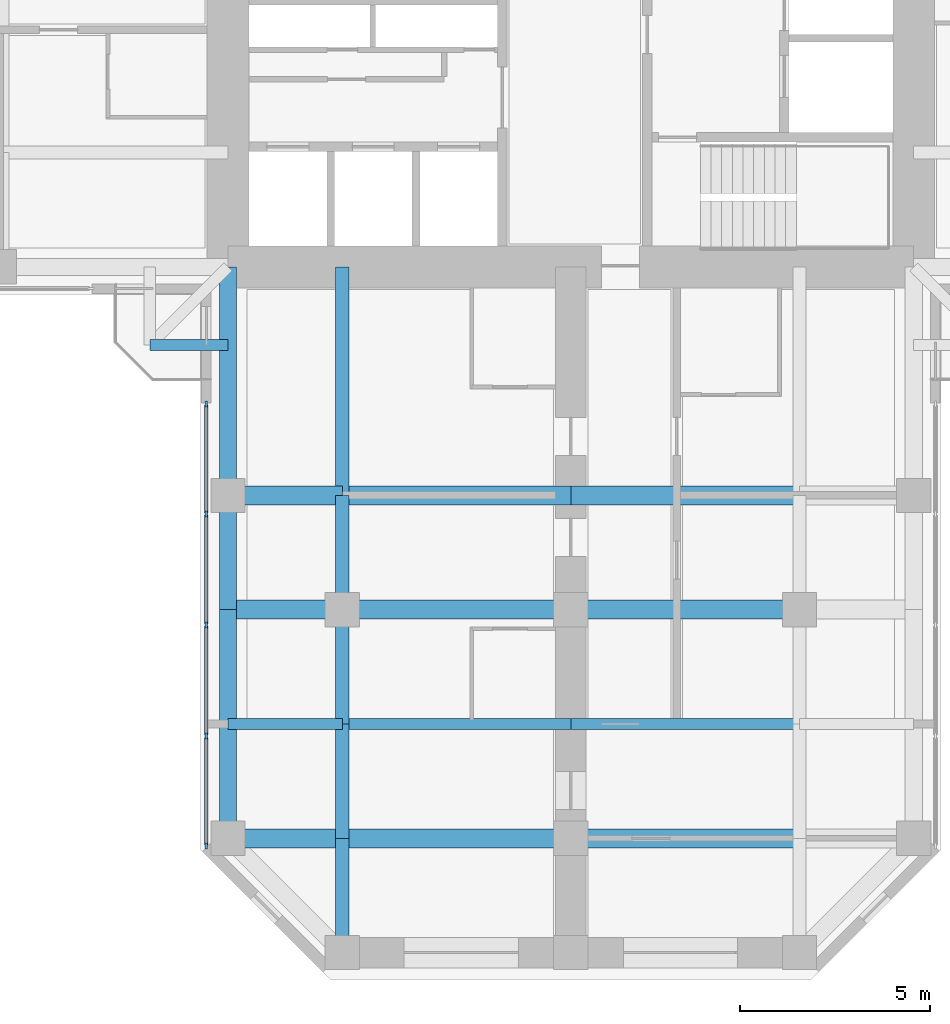
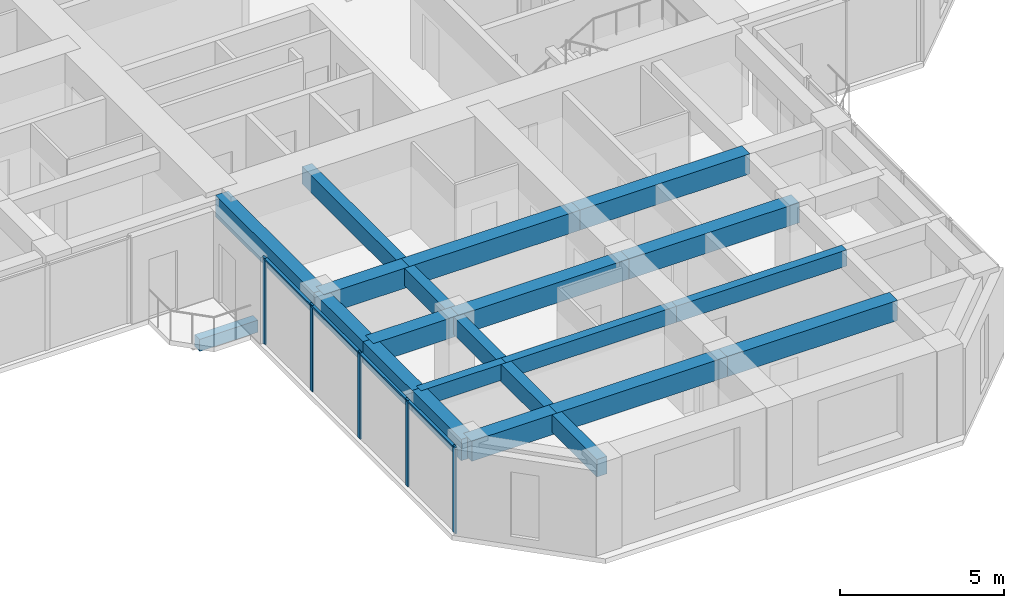
# One storey, part 2 of 13: 22 beams, 9 members, 1 element without a shape of its own.
"""IFC4 building model written with IfcOpenShell, lengths in metres."""

from ifc_helpers import new_model, si_unit, direction, frame, origin, origin_2d, place, context, subcontext, project, spatial, rectangle, extrude, material, material_profile, profile_set, type_object, element, aggregate, save


model = new_model("IFC4")

# Units and contexts
model_context = context("Model", 3, precision=1e-05, world=origin(), true_north=direction((0.0, 1.0)))
body_context = subcontext(model_context, "Body", "Model", "MODEL_VIEW")
ifc_project = project(units=[si_unit("LENGTHUNIT", "METRE"), si_unit("AREAUNIT", "SQUARE_METRE"), si_unit("VOLUMEUNIT", "CUBIC_METRE"), si_unit("PLANEANGLEUNIT", "RADIAN"), si_unit("MASSUNIT", "GRAM", prefix="KILO")], contexts=[model_context])

# Site, building, storey
site_placement = place(None, origin())
site = spatial("IfcSite", under=ifc_project, at=site_placement, CompositionType="ELEMENT")
building_placement = place(site_placement, origin())
building = spatial("IfcBuilding", under=site, at=building_placement, Name="Torre Cruceta", CompositionType="ELEMENT")
storey_placement = place(building_placement, frame((0.0, 0.0, 189.89990234375)))
storey = spatial("IfcBuildingStorey", under=building, at=storey_placement, Name="L47", CompositionType="ELEMENT", Elevation=189.89990234375)

# Beams
ifc_material_1 = material(Name="Concrete G60 (fck 60 MPa)", Category="concrete")
ifc_material_profile_1 = material_profile(ifc_material_1, rectangle(XDim=0.300048828125, YDim=0.449951171875, at=origin_2d()), Name="RC 300X450")
ifc_profile_set_1 = profile_set([ifc_material_profile_1], Name="Concrete G60 (fck 60 MPa)")
beam_type_1 = type_object("IfcBeamType", Name="BALCONY CANTILEVER BEAM RC 300X450", PredefinedType="BEAM", material=ifc_profile_set_1)
beam_1_placement = place(storey_placement, frame((-9.0, -11.050537109375, -0.40478515625), z_axis=(-1.0, 0.0, 0.0), x_axis=(0.0, -1.0, 0.0)))
element("IfcBeam", 1, at=beam_1_placement, inside=storey, type_object=beam_type_1, Name="BB1 balcony edge beam L47 W-Y", PredefinedType="BEAM", context=body_context, shape_type="SweptSolid", body=[
    extrude(rectangle(XDim=0.300048828125, YDim=0.449951171875, at=origin_2d()), origin(), (0.0, 0.0, 1.0), 2.050537109375),
])
ifc_material_2 = material(Name="Concrete G60 (fck 60 MPa)", Category="concrete")
ifc_material_profile_2 = material_profile(ifc_material_2, rectangle(XDim=0.35009765625, YDim=0.64990234375, at=origin_2d()), Name="RC 350X650")
ifc_profile_set_2 = profile_set([ifc_material_profile_2], Name="Concrete G60 (fck 60 MPa)")
beam_type_2 = type_object("IfcBeamType", Name="COLUMN LINE BEAM RC 350X650", PredefinedType="BEAM", material=ifc_profile_set_2)
beam_2_placement = place(storey_placement, frame((-6.0, -9.0, 2.89501953125), z_axis=(0.0, -1.0, 0.0), x_axis=(1.0, 0.0, 0.0)))
element("IfcBeam", 2, at=beam_2_placement, inside=storey, type_object=beam_type_2, Name="LB7 L47 S col- 1", PredefinedType="BEAM", context=body_context, shape_type="SweptSolid", body=[
    extrude(rectangle(XDim=0.35009765625, YDim=0.64990234375, at=origin_2d()), origin(), (0.0, 0.0, 1.0), 6.0),
])
for number, where, z_axis, x_axis, name in (
    (3, (-6.0, -15.0, 2.89501953125), (0.0, -1.0, 0.0), (1.0, 0.0, 0.0), "LB7 L47 S col- 2"),
    (4, (-6.0, -18.0, 2.89501953125), (0.0, -1.0, 0.0), (1.0, 0.0, 0.0), "LB7 L47 S col- 3"),
    (5, (-6.0, -21.0, 2.89501953125), (0.0, -1.0, 0.0), (1.0, 0.0, 0.0), "LB7 L47 S col- 4"),
    (6, (-6.0, -24.0, 2.89501953125), (0.0, -1.0, 0.0), (1.0, 0.0, 0.0), "LB7 L47 S col- 5"),
):
    element("IfcBeam", number, at=place(storey_placement, frame(where, z_axis=z_axis, x_axis=x_axis)), inside=storey, type_object=beam_type_2, Name=name, PredefinedType="BEAM", context=body_context, shape_type="SweptSolid", body=[
        extrude(rectangle(XDim=0.35009765625, YDim=0.64990234375, at=origin_2d()), origin(), (0.0, 0.0, 1.0), 3.0),
    ])
ifc_material_3 = material(Name="Concrete G60 (fck 60 MPa)", Category="concrete")
ifc_material_profile_3 = material_profile(ifc_material_3, rectangle(XDim=0.5, YDim=0.75, at=origin_2d()), Name="RC 500X750")
ifc_profile_set_3 = profile_set([ifc_material_profile_3], Name="Concrete G60 (fck 60 MPa)")
beam_type_3 = type_object("IfcBeamType", Name="CROSS BEAM RC 500X750", PredefinedType="BEAM", material=ifc_profile_set_3)
beam_3_placement = place(storey_placement, frame((-9.0, -15.0, 2.84521484375), z_axis=(1.0, 0.0, 0.0), x_axis=(0.0, 1.0, 0.0)))
element("IfcBeam", 7, at=beam_3_placement, inside=storey, type_object=beam_type_3, Name="GB6 L47 S cross15 1", PredefinedType="BEAM", context=body_context, shape_type="SweptSolid", body=[
    extrude(rectangle(XDim=0.5, YDim=0.75, at=origin_2d()), origin(), (0.0, 0.0, 1.0), 3.0),
])
for number, where, z_axis, x_axis, name in (
    (8, (-6.0, -15.0, 2.84521484375), (1.0, 0.0, 0.0), (0.0, 1.0, 0.0), "GB6 L47 S cross15 2"),
    (9, (0.0, -15.0, 2.84521484375), (1.0, 0.0, 0.0), (0.0, 1.0, 0.0), "GB6 L47 S cross15 3"),
):
    element("IfcBeam", number, at=place(storey_placement, frame(where, z_axis=z_axis, x_axis=x_axis)), inside=storey, type_object=beam_type_3, Name=name, PredefinedType="BEAM", context=body_context, shape_type="SweptSolid", body=[
        extrude(rectangle(XDim=0.5, YDim=0.75, at=origin_2d()), origin(), (0.0, 0.0, 1.0), 6.0),
    ])
beam_4_placement = place(storey_placement, frame((-9.0, -18.0, 2.84521484375), z_axis=(1.0, 0.0, 0.0), x_axis=(0.0, 1.0, 0.0)))
element("IfcBeam", 10, at=beam_4_placement, inside=storey, type_object=beam_type_3, Name="GB6 L47 S cross18 1", PredefinedType="BEAM", context=body_context, shape_type="SweptSolid", body=[
    extrude(rectangle(XDim=0.5, YDim=0.75, at=origin_2d()), origin(), (0.0, 0.0, 1.0), 3.0),
])
for number, where, z_axis, x_axis, name in (
    (11, (-6.0, -18.0, 2.84521484375), (1.0, 0.0, 0.0), (0.0, 1.0, 0.0), "GB6 L47 S cross18 2"),
    (12, (0.0, -18.0, 2.84521484375), (1.0, 0.0, 0.0), (0.0, 1.0, 0.0), "GB6 L47 S cross18 3"),
):
    element("IfcBeam", number, at=place(storey_placement, frame(where, z_axis=z_axis, x_axis=x_axis)), inside=storey, type_object=beam_type_3, Name=name, PredefinedType="BEAM", context=body_context, shape_type="SweptSolid", body=[
        extrude(rectangle(XDim=0.5, YDim=0.75, at=origin_2d()), origin(), (0.0, 0.0, 1.0), 6.0),
    ])
beam_5_placement = place(storey_placement, frame((-9.0, -24.0, 2.84521484375), z_axis=(1.0, 0.0, 0.0), x_axis=(0.0, 1.0, 0.0)))
element("IfcBeam", 13, at=beam_5_placement, inside=storey, type_object=beam_type_3, Name="GB6 L47 S cross24 1", PredefinedType="BEAM", context=body_context, shape_type="SweptSolid", body=[
    extrude(rectangle(XDim=0.5, YDim=0.75, at=origin_2d()), origin(), (0.0, 0.0, 1.0), 3.0),
])
for number, where, z_axis, x_axis, name in (
    (14, (-6.0, -24.0, 2.84521484375), (1.0, 0.0, 0.0), (0.0, 1.0, 0.0), "GB6 L47 S cross24 2"),
    (15, (0.0, -24.0, 2.84521484375), (1.0, 0.0, 0.0), (0.0, 1.0, 0.0), "GB6 L47 S cross24 3"),
):
    element("IfcBeam", number, at=place(storey_placement, frame(where, z_axis=z_axis, x_axis=x_axis)), inside=storey, type_object=beam_type_3, Name=name, PredefinedType="BEAM", context=body_context, shape_type="SweptSolid", body=[
        extrude(rectangle(XDim=0.5, YDim=0.75, at=origin_2d()), origin(), (0.0, 0.0, 1.0), 6.0),
    ])

# Curtain wall, members
ifc_material_4 = material(Name="Aluminium unitised curtain wall", Category="aluminium")
curtain_wall_type = type_object("IfcCurtainWallType", Name="CURTAIN WALL CW-C CO-LIVING", PredefinedType="USERDEFINED", material=ifc_material_4)
curtain_wall_placement = place(storey_placement, origin())
curtain_wall = element("IfcCurtainWall", 16, at=curtain_wall_placement, inside=storey, type_object=curtain_wall_type, Name="CW-C L47 S side 15", ObjectType="UNITISED", PredefinedType="USERDEFINED")
ifc_material_5 = material(Name="Aluminium mullion", Category="aluminium")
ifc_material_profile_4 = material_profile(ifc_material_5, rectangle(XDim=0.06005859375, YDim=0.159912109375, at=origin_2d()), Name="AL 60X160")
ifc_profile_set_4 = profile_set([ifc_material_profile_4], Name="Aluminium mullion")
member_type_1 = type_object("IfcMemberType", Name="CW-C MULLION 60X160", PredefinedType="MULLION", material=ifc_profile_set_4)
member_1_placement = place(storey_placement, frame((-9.570068359375, -12.60009765625, 0.0), z_axis=(0.0, 0.0, 1.0), x_axis=(1.0, 0.0, 0.0)))
member_1 = element("IfcMember", 17, at=member_1_placement, type_object=member_type_1, Name="CW-C mullion 1", PredefinedType="MULLION", context=body_context, shape_type="SweptSolid", body=[
    extrude(rectangle(XDim=0.06005859375, YDim=0.159912109375, at=origin_2d()), origin(), (0.0, 0.0, 1.0), 3.22021484375),
])
member_2_placement = place(storey_placement, frame((-9.570068359375, -15.486572265625, 0.0), z_axis=(0.0, 0.0, 1.0), x_axis=(1.0, 0.0, 0.0)))
member_2 = element("IfcMember", 18, at=member_2_placement, type_object=member_type_1, Name="CW-C mullion 2", PredefinedType="MULLION", context=body_context, shape_type="SweptSolid", body=[
    extrude(rectangle(XDim=0.06005859375, YDim=0.159912109375, at=origin_2d()), origin(), (0.0, 0.0, 1.0), 3.22021484375),
])
member_3_placement = place(storey_placement, frame((-9.570068359375, -18.403076171875, 0.0), z_axis=(0.0, 0.0, 1.0), x_axis=(1.0, 0.0, 0.0)))
member_3 = element("IfcMember", 19, at=member_3_placement, type_object=member_type_1, Name="CW-C mullion 3", PredefinedType="MULLION", context=body_context, shape_type="SweptSolid", body=[
    extrude(rectangle(XDim=0.06005859375, YDim=0.159912109375, at=origin_2d()), origin(), (0.0, 0.0, 1.0), 3.22021484375),
])
member_4_placement = place(storey_placement, frame((-9.570068359375, -21.319580078125, 0.0), z_axis=(0.0, 0.0, 1.0), x_axis=(1.0, 0.0, 0.0)))
member_4 = element("IfcMember", 20, at=member_4_placement, type_object=member_type_1, Name="CW-C mullion 4", PredefinedType="MULLION", context=body_context, shape_type="SweptSolid", body=[
    extrude(rectangle(XDim=0.06005859375, YDim=0.159912109375, at=origin_2d()), origin(), (0.0, 0.0, 1.0), 3.22021484375),
])
member_5_placement = place(storey_placement, frame((-9.570068359375, -24.2060546875, 0.0), z_axis=(0.0, 0.0, 1.0), x_axis=(1.0, 0.0, 0.0)))
member_5 = element("IfcMember", 21, at=member_5_placement, type_object=member_type_1, Name="CW-C mullion 5", PredefinedType="MULLION", context=body_context, shape_type="SweptSolid", body=[
    extrude(rectangle(XDim=0.06005859375, YDim=0.159912109375, at=origin_2d()), origin(), (0.0, 0.0, 1.0), 3.22021484375),
])
ifc_material_6 = material(Name="Aluminium transom", Category="aluminium")
ifc_material_profile_5 = material_profile(ifc_material_6, rectangle(XDim=0.10009765625, YDim=0.06005859375, at=origin_2d()), Name="AL 100X60")
ifc_profile_set_5 = profile_set([ifc_material_profile_5], Name="Aluminium transom")
member_type_2 = type_object("IfcMemberType", Name="CW-C TRANSOM 60X100", PredefinedType="USERDEFINED", material=ifc_profile_set_5)
member_6_placement = place(storey_placement, frame((-9.570068359375, -12.6298828125, 3.190185546875), z_axis=(0.0, -1.0, 0.0), x_axis=(1.0, 0.0, 0.0)))
member_6 = element("IfcMember", 22, at=member_6_placement, type_object=member_type_2, Name="CW-C transom 1", ObjectType="TRANSOM", PredefinedType="USERDEFINED", context=body_context, shape_type="SweptSolid", body=[
    extrude(rectangle(XDim=0.10009765625, YDim=0.06005859375, at=origin_2d()), origin(), (0.0, 0.0, 1.0), 2.82666015625),
])
member_7_placement = place(storey_placement, frame((-9.570068359375, -15.5166015625, 3.190185546875), z_axis=(0.0, -1.0, 0.0), x_axis=(1.0, 0.0, 0.0)))
member_7 = element("IfcMember", 23, at=member_7_placement, type_object=member_type_2, Name="CW-C transom 2", ObjectType="TRANSOM", PredefinedType="USERDEFINED", context=body_context, shape_type="SweptSolid", body=[
    extrude(rectangle(XDim=0.10009765625, YDim=0.06005859375, at=origin_2d()), origin(), (0.0, 0.0, 1.0), 2.8564453125),
])
member_8_placement = place(storey_placement, frame((-9.570068359375, -18.43310546875, 3.190185546875), z_axis=(0.0, -1.0, 0.0), x_axis=(1.0, 0.0, 0.0)))
member_8 = element("IfcMember", 24, at=member_8_placement, type_object=member_type_2, Name="CW-C transom 3", ObjectType="TRANSOM", PredefinedType="USERDEFINED", context=body_context, shape_type="SweptSolid", body=[
    extrude(rectangle(XDim=0.10009765625, YDim=0.06005859375, at=origin_2d()), origin(), (0.0, 0.0, 1.0), 2.8564453125),
])
member_9_placement = place(storey_placement, frame((-9.570068359375, -21.349609375, 3.190185546875), z_axis=(0.0, -1.0, 0.0), x_axis=(1.0, 0.0, 0.0)))
member_9 = element("IfcMember", 25, at=member_9_placement, type_object=member_type_2, Name="CW-C transom 4", ObjectType="TRANSOM", PredefinedType="USERDEFINED", context=body_context, shape_type="SweptSolid", body=[
    extrude(rectangle(XDim=0.10009765625, YDim=0.06005859375, at=origin_2d()), origin(), (0.0, 0.0, 1.0), 2.826416015625),
])
aggregate(curtain_wall, [member_1, member_2, member_3, member_4, member_5, member_6, member_7, member_8, member_9])

# Beams
ifc_material_7 = material(Name="Concrete G60 (fck 60 MPa)", Category="concrete")
ifc_material_profile_6 = material_profile(ifc_material_7, rectangle(XDim=0.300048828125, YDim=0.60009765625, at=origin_2d()), Name="RC 300X600")
ifc_profile_set_6 = profile_set([ifc_material_profile_6], Name="Concrete G60 (fck 60 MPa)")
beam_type_4 = type_object("IfcBeamType", Name="SECONDARY BEAM RC 300X600", PredefinedType="JOIST", material=ifc_profile_set_6)
beam_6_placement = place(storey_placement, frame((-9.0, -21.0, 2.920166015625), z_axis=(1.0, 0.0, 0.0), x_axis=(0.0, 1.0, 0.0)))
element("IfcBeam", 26, at=beam_6_placement, inside=storey, type_object=beam_type_4, Name="JB6 L47 S sec21 1", PredefinedType="JOIST", context=body_context, shape_type="SweptSolid", body=[
    extrude(rectangle(XDim=0.300048828125, YDim=0.60009765625, at=origin_2d()), origin(), (0.0, 0.0, 1.0), 3.0),
])
for number, where, z_axis, x_axis, name in (
    (27, (-6.0, -21.0, 2.920166015625), (1.0, 0.0, 0.0), (0.0, 1.0, 0.0), "JB6 L47 S sec21 2"),
    (28, (0.0, -21.0, 2.920166015625), (1.0, 0.0, 0.0), (0.0, 1.0, 0.0), "JB6 L47 S sec21 3"),
):
    element("IfcBeam", number, at=place(storey_placement, frame(where, z_axis=z_axis, x_axis=x_axis)), inside=storey, type_object=beam_type_4, Name=name, PredefinedType="JOIST", context=body_context, shape_type="SweptSolid", body=[
        extrude(rectangle(XDim=0.300048828125, YDim=0.60009765625, at=origin_2d()), origin(), (0.0, 0.0, 1.0), 6.0),
    ])
ifc_material_8 = material(Name="Concrete G60 (fck 60 MPa)", Category="concrete")
ifc_material_profile_7 = material_profile(ifc_material_8, rectangle(XDim=0.449951171875, YDim=0.800048828125, at=origin_2d()), Name="RC 450X800")
ifc_profile_set_7 = profile_set([ifc_material_profile_7], Name="Concrete G60 (fck 60 MPa)")
beam_type_5 = type_object("IfcBeamType", Name="SPANDREL BEAM RC 450X800", PredefinedType="SPANDREL", material=ifc_profile_set_7)
beam_7_placement = place(storey_placement, frame((-9.0, -9.0, 2.820068359375), z_axis=(0.0, -1.0, 0.0), x_axis=(1.0, 0.0, 0.0)))
element("IfcBeam", 29, at=beam_7_placement, inside=storey, type_object=beam_type_5, Name="SB6 L47 S side- 1", PredefinedType="SPANDREL", context=body_context, shape_type="SweptSolid", body=[
    extrude(rectangle(XDim=0.449951171875, YDim=0.800048828125, at=origin_2d()), origin(), (0.0, 0.0, 1.0), 6.0),
])
for number, where, z_axis, x_axis, name in (
    (30, (-9.0, -15.0, 2.820068359375), (0.0, -1.0, 0.0), (1.0, 0.0, 0.0), "SB6 L47 S side- 2"),
    (31, (-9.0, -18.0, 2.820068359375), (0.0, -1.0, 0.0), (1.0, 0.0, 0.0), "SB6 L47 S side- 3"),
    (32, (-9.0, -21.0, 2.820068359375), (0.0, -1.0, 0.0), (1.0, 0.0, 0.0), "SB6 L47 S side- 4"),
):
    element("IfcBeam", number, at=place(storey_placement, frame(where, z_axis=z_axis, x_axis=x_axis)), inside=storey, type_object=beam_type_5, Name=name, PredefinedType="SPANDREL", context=body_context, shape_type="SweptSolid", body=[
        extrude(rectangle(XDim=0.449951171875, YDim=0.800048828125, at=origin_2d()), origin(), (0.0, 0.0, 1.0), 3.0),
    ])

save(model, "model.ifc")
